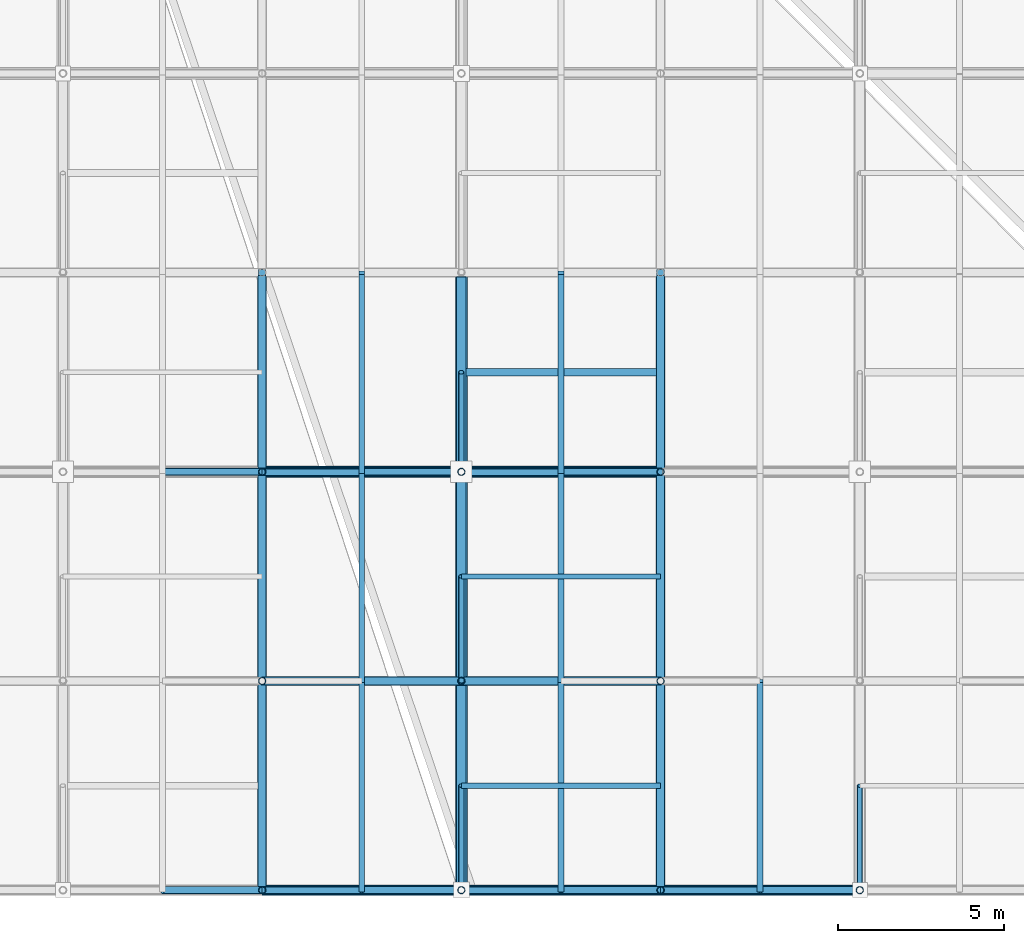
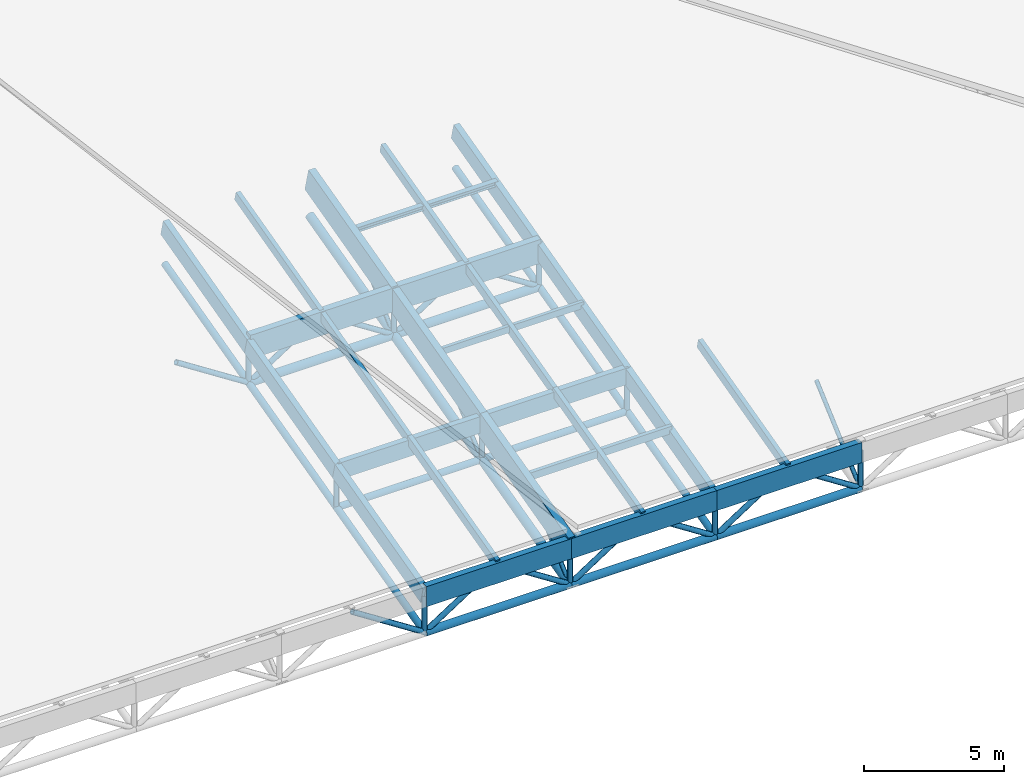
# One storey, part 24 of 80: 68 members.
"""IFC4 building model written with IfcOpenShell, lengths in metres."""

from ifc_helpers import new_model, si_unit, direction, frame, origin, origin_2d, place, context, subcontext, project, spatial, rectangle, hollow_circle, i_section, extrude, material, material_profile, profile_set, type_object, element, save


model = new_model("IFC4")

# Units and contexts
model_context = context("Model", 3, precision=1e-05, world=origin(), true_north=direction((0.0, 1.0)))
body_context = subcontext(model_context, "Body", "Model", "MODEL_VIEW")
ifc_project = project(units=[si_unit("LENGTHUNIT", "METRE"), si_unit("AREAUNIT", "SQUARE_METRE"), si_unit("VOLUMEUNIT", "CUBIC_METRE"), si_unit("PLANEANGLEUNIT", "RADIAN"), si_unit("MASSUNIT", "GRAM", prefix="KILO"), si_unit("THERMODYNAMICTEMPERATUREUNIT", "KELVIN"), si_unit("POWERUNIT", "WATT")], contexts=[model_context])

# Site, building, storey
site_placement = place(None, origin())
site = spatial("IfcSite", under=ifc_project, at=site_placement, CompositionType="ELEMENT")
building_placement = place(site_placement, origin())
building = spatial("IfcBuilding", under=site, at=building_placement, Name="Solmara Park Aquatics Centre", CompositionType="ELEMENT")
storey_placement = place(building_placement, frame((0.0, 0.0, 22.800048828125)))
storey = spatial("IfcBuildingStorey", under=building, at=storey_placement, Name="RF", CompositionType="ELEMENT", Elevation=22.800048828125)

# Members
ifc_material_1 = material(Name="Structural Steel S355", Category="steel")
ifc_material_profile_1 = material_profile(ifc_material_1, hollow_circle(Radius=0.084228515625, WallThickness=0.008056640625, at=origin_2d()), Name="CHS 168.3x8")
ifc_profile_set_1 = profile_set([ifc_material_profile_1], Name="Structural Steel S355")
member_type_1 = type_object("IfcMemberType", Name="STR-BRC-CHS168", PredefinedType="BRACE", material=ifc_profile_set_1)
for number, where, z_axis, x_axis, name in (
    (1, (72.60009765625, 0.0, -14.400146484375), (0.0, 0.748026356938, 0.663669020917), (-1.0, 0.0, 0.0), "Roof Truss Web Diagonal Y 1855"),
    (2, (84.60009765625, 0.0, -14.400146484375), (0.0, 0.748026356938, 0.663669020917), (-1.0, 0.0, 0.0), "Roof Truss Web Diagonal Y 1856"),
    (3, (72.60009765625, 6.300048828125, -12.770751953125), (0.0, 0.748026356938, 0.663669020917), (-1.0, 0.0, 0.0), "Roof Truss Web Diagonal Y 1876"),
):
    element("IfcMember", number, at=place(storey_placement, frame(where, z_axis=z_axis, x_axis=x_axis)), inside=storey, type_object=member_type_1, Name=name, PredefinedType="BRACE", context=body_context, shape_type="SweptSolid", body=[
        extrude(hollow_circle(Radius=0.084228515625, WallThickness=0.008056640625, at=origin_2d()), origin(), (0.0, 0.0, 1.0), 4.2109375),
    ])
member_1_placement = place(storey_placement, frame((72.60009765625, 12.60009765625, -11.141357421875), z_axis=(0.0, 0.736467121275, 0.676473339667), x_axis=(-1.0, 0.0, 0.0)))
element("IfcMember", 4, at=member_1_placement, inside=storey, type_object=member_type_1, Name="Roof Truss Web Diagonal Y 1898", PredefinedType="BRACE", context=body_context, shape_type="SweptSolid", body=[
    extrude(hollow_circle(Radius=0.084228515625, WallThickness=0.008056640625, at=origin_2d()), origin(), (0.0, 0.0, 1.0), 4.073486328125),
])
ifc_material_profile_2 = material_profile(ifc_material_1, hollow_circle(Radius=0.109619140625, WallThickness=0.010009765625, at=origin_2d()), Name="CHS 219.1x10")
ifc_profile_set_2 = profile_set([ifc_material_profile_2], Name="Structural Steel S355")
member_type_2 = type_object("IfcMemberType", Name="STR-BRC-CHS219", PredefinedType="BRACE", material=ifc_profile_set_2)
member_2_placement = place(storey_placement, frame((66.60009765625, 0.0, -14.400146484375), z_axis=(-0.839696636896, 0.0, 0.543055759555), x_axis=(0.0, -1.0, 0.0)))
element("IfcMember", 5, at=member_2_placement, inside=storey, type_object=member_type_2, Name="Roof Truss Web Diagonal X 1638", PredefinedType="BRACE", context=body_context, shape_type="SweptSolid", body=[
    extrude(hollow_circle(Radius=0.109619140625, WallThickness=0.010009765625, at=origin_2d()), origin(), (0.0, 0.0, 1.0), 3.57275390625),
])
member_3_placement = place(storey_placement, frame((66.60009765625, 12.60009765625, -11.141357421875), z_axis=(-0.83972779743, 0.0, 0.543007574738), x_axis=(0.0, -1.0, 0.0)))
element("IfcMember", 6, at=member_3_placement, inside=storey, type_object=member_type_2, Name="Roof Truss Web Diagonal X 1640", PredefinedType="BRACE", context=body_context, shape_type="SweptSolid", body=[
    extrude(hollow_circle(Radius=0.109619140625, WallThickness=0.010009765625, at=origin_2d()), origin(), (0.0, 0.0, 1.0), 3.572509765625),
])
for number, where, z_axis, x_axis, name in (
    (7, (66.60009765625, 0.0, -14.400146484375), (0.839696636896, 0.0, 0.543055759555), (0.0, 1.0, 0.0), "Roof Truss Web Diagonal X 1667"),
    (8, (72.60009765625, 0.0, -14.400146484375), (-0.839696636896, 0.0, 0.543055759555), (0.0, -1.0, 0.0), "Roof Truss Web Diagonal X 1668"),
):
    element("IfcMember", number, at=place(storey_placement, frame(where, z_axis=z_axis, x_axis=x_axis)), inside=storey, type_object=member_type_2, Name=name, PredefinedType="BRACE", context=body_context, shape_type="SweptSolid", body=[
        extrude(hollow_circle(Radius=0.109619140625, WallThickness=0.010009765625, at=origin_2d()), origin(), (0.0, 0.0, 1.0), 3.57275390625),
    ])
for number, where, z_axis, x_axis, name in (
    (9, (66.60009765625, 12.60009765625, -11.141357421875), (0.83972779743, 0.0, 0.543007574738), (0.0, 1.0, 0.0), "Roof Truss Web Diagonal X 1669"),
    (10, (72.60009765625, 12.60009765625, -11.141357421875), (-0.83972779743, 0.0, 0.543007574738), (0.0, -1.0, 0.0), "Roof Truss Web Diagonal X 1670"),
):
    element("IfcMember", number, at=place(storey_placement, frame(where, z_axis=z_axis, x_axis=x_axis)), inside=storey, type_object=member_type_2, Name=name, PredefinedType="BRACE", context=body_context, shape_type="SweptSolid", body=[
        extrude(hollow_circle(Radius=0.109619140625, WallThickness=0.010009765625, at=origin_2d()), origin(), (0.0, 0.0, 1.0), 3.572509765625),
    ])
for number, where, z_axis, x_axis, name in (
    (11, (72.60009765625, 0.0, -14.400146484375), (0.839696636896, 0.0, 0.543055759555), (0.0, 1.0, 0.0), "Roof Truss Web Diagonal X 1697"),
    (12, (78.60009765625, 0.0, -14.400146484375), (-0.839696636896, 0.0, 0.543055759555), (0.0, -1.0, 0.0), "Roof Truss Web Diagonal X 1698"),
):
    element("IfcMember", number, at=place(storey_placement, frame(where, z_axis=z_axis, x_axis=x_axis)), inside=storey, type_object=member_type_2, Name=name, PredefinedType="BRACE", context=body_context, shape_type="SweptSolid", body=[
        extrude(hollow_circle(Radius=0.109619140625, WallThickness=0.010009765625, at=origin_2d()), origin(), (0.0, 0.0, 1.0), 3.57275390625),
    ])
for number, where, z_axis, x_axis, name in (
    (13, (72.60009765625, 12.60009765625, -11.141357421875), (0.83972779743, 0.0, 0.543007574738), (0.0, 1.0, 0.0), "Roof Truss Web Diagonal X 1699"),
    (14, (78.60009765625, 12.60009765625, -11.141357421875), (-0.83972779743, 0.0, 0.543007574738), (0.0, -1.0, 0.0), "Roof Truss Web Diagonal X 1700"),
):
    element("IfcMember", number, at=place(storey_placement, frame(where, z_axis=z_axis, x_axis=x_axis)), inside=storey, type_object=member_type_2, Name=name, PredefinedType="BRACE", context=body_context, shape_type="SweptSolid", body=[
        extrude(hollow_circle(Radius=0.109619140625, WallThickness=0.010009765625, at=origin_2d()), origin(), (0.0, 0.0, 1.0), 3.572509765625),
    ])
for number, where, z_axis, x_axis, name in (
    (15, (78.60009765625, 0.0, -14.400146484375), (0.839696636896, 0.0, 0.543055759555), (0.0, 1.0, 0.0), "Roof Truss Web Diagonal X 1725"),
    (16, (84.60009765625, 0.0, -14.400146484375), (-0.839696636896, 0.0, 0.543055759555), (0.0, -1.0, 0.0), "Roof Truss Web Diagonal X 1726"),
):
    element("IfcMember", number, at=place(storey_placement, frame(where, z_axis=z_axis, x_axis=x_axis)), inside=storey, type_object=member_type_2, Name=name, PredefinedType="BRACE", context=body_context, shape_type="SweptSolid", body=[
        extrude(hollow_circle(Radius=0.109619140625, WallThickness=0.010009765625, at=origin_2d()), origin(), (0.0, 0.0, 1.0), 3.57275390625),
    ])
ifc_material_profile_3 = material_profile(ifc_material_1, hollow_circle(Radius=0.136474609375, WallThickness=0.012451171875, at=origin_2d()), Name="CHS 273x12.5")
ifc_profile_set_3 = profile_set([ifc_material_profile_3], Name="Structural Steel S355")
member_type_3 = type_object("IfcMemberType", Name="STR-CHD-CHS273", PredefinedType="CHORD", material=ifc_profile_set_3)
for number, where, z_axis, x_axis, name in (
    (17, (66.60009765625, 6.300048828125, -12.770751953125), (1.0, 0.0, 0.0), (0.0, 1.0, 0.0), "Steel Roof Truss Bottom Chord X 0060"),
    (18, (72.60009765625, 6.300048828125, -12.770751953125), (1.0, 0.0, 0.0), (0.0, 1.0, 0.0), "Steel Roof Truss Bottom Chord X 0062"),
):
    element("IfcMember", number, at=place(storey_placement, frame(where, z_axis=z_axis, x_axis=x_axis)), inside=storey, type_object=member_type_3, Name=name, PredefinedType="CHORD", context=body_context, shape_type="SweptSolid", body=[
        extrude(hollow_circle(Radius=0.136474609375, WallThickness=0.012451171875, at=origin_2d()), origin(), (0.0, 0.0, 1.0), 6.0),
    ])
for number, where, z_axis, x_axis, name in (
    (19, (66.60009765625, 0.0, -14.400146484375), (0.0, 0.968144245908, 0.25039312913), (-1.0, 0.0, 0.0), "Steel Roof Truss Bottom Chord Y 0850"),
    (20, (66.60009765625, 6.300048828125, -12.770751953125), (0.0, 0.968144245908, 0.25039312913), (-1.0, 0.0, 0.0), "Steel Roof Truss Bottom Chord Y 0852"),
):
    element("IfcMember", number, at=place(storey_placement, frame(where, z_axis=z_axis, x_axis=x_axis)), inside=storey, type_object=member_type_3, Name=name, PredefinedType="CHORD", context=body_context, shape_type="SweptSolid", body=[
        extrude(hollow_circle(Radius=0.136474609375, WallThickness=0.012451171875, at=origin_2d()), origin(), (0.0, 0.0, 1.0), 6.50732421875),
    ])
member_4_placement = place(storey_placement, frame((66.60009765625, 12.60009765625, -11.141357421875), z_axis=(0.0, 0.968155143395, 0.250350990246), x_axis=(-1.0, 0.0, 0.0)))
element("IfcMember", 21, at=member_4_placement, inside=storey, type_object=member_type_3, Name="Steel Roof Truss Bottom Chord Y 0854", PredefinedType="CHORD", context=body_context, shape_type="SweptSolid", body=[
    extrude(hollow_circle(Radius=0.136474609375, WallThickness=0.012451171875, at=origin_2d()), origin(), (0.0, 0.0, 1.0), 6.197265625),
])
for number, where, z_axis, x_axis, name in (
    (22, (78.60009765625, 0.0, -14.400146484375), (0.0, 0.968144245908, 0.25039312913), (-1.0, 0.0, 0.0), "Steel Roof Truss Bottom Chord Y 0906"),
    (23, (78.60009765625, 6.300048828125, -12.770751953125), (0.0, 0.968144245908, 0.25039312913), (-1.0, 0.0, 0.0), "Steel Roof Truss Bottom Chord Y 0908"),
):
    element("IfcMember", number, at=place(storey_placement, frame(where, z_axis=z_axis, x_axis=x_axis)), inside=storey, type_object=member_type_3, Name=name, PredefinedType="CHORD", context=body_context, shape_type="SweptSolid", body=[
        extrude(hollow_circle(Radius=0.136474609375, WallThickness=0.012451171875, at=origin_2d()), origin(), (0.0, 0.0, 1.0), 6.50732421875),
    ])
member_5_placement = place(storey_placement, frame((78.60009765625, 12.60009765625, -11.141357421875), z_axis=(0.0, 0.968155143395, 0.250350990246), x_axis=(-1.0, 0.0, 0.0)))
element("IfcMember", 24, at=member_5_placement, inside=storey, type_object=member_type_3, Name="Steel Roof Truss Bottom Chord Y 0910", PredefinedType="CHORD", context=body_context, shape_type="SweptSolid", body=[
    extrude(hollow_circle(Radius=0.136474609375, WallThickness=0.012451171875, at=origin_2d()), origin(), (0.0, 0.0, 1.0), 6.197265625),
])
ifc_material_profile_4 = material_profile(ifc_material_1, hollow_circle(Radius=0.161865234375, WallThickness=0.01611328125, at=origin_2d()), Name="CHS 323.9x16")
ifc_profile_set_4 = profile_set([ifc_material_profile_4], Name="Structural Steel S355")
member_type_4 = type_object("IfcMemberType", Name="STR-CHD-CHS323", PredefinedType="CHORD", material=ifc_profile_set_4)
for number, where, z_axis, x_axis, name in (
    (25, (66.60009765625, 0.0, -14.400146484375), (1.0, 0.0, 0.0), (0.0, 1.0, 0.0), "Steel Roof Truss Bottom Chord X 0024"),
    (26, (72.60009765625, 0.0, -14.400146484375), (1.0, 0.0, 0.0), (0.0, 1.0, 0.0), "Steel Roof Truss Bottom Chord X 0026"),
    (27, (78.60009765625, 0.0, -14.400146484375), (1.0, 0.0, 0.0), (0.0, 1.0, 0.0), "Steel Roof Truss Bottom Chord X 0028"),
):
    element("IfcMember", number, at=place(storey_placement, frame(where, z_axis=z_axis, x_axis=x_axis)), inside=storey, type_object=member_type_4, Name=name, PredefinedType="CHORD", context=body_context, shape_type="SweptSolid", body=[
        extrude(hollow_circle(Radius=0.161865234375, WallThickness=0.01611328125, at=origin_2d()), origin(), (0.0, 0.0, 1.0), 6.0),
    ])
ifc_material_profile_5 = material_profile(ifc_material_1, hollow_circle(Radius=0.177734375, WallThickness=0.01611328125, at=origin_2d()), Name="CHS 355.6x16")
ifc_profile_set_5 = profile_set([ifc_material_profile_5], Name="Structural Steel S355")
member_type_5 = type_object("IfcMemberType", Name="STR-CHD-CHS355", PredefinedType="CHORD", material=ifc_profile_set_5)
for number, where, z_axis, x_axis, name in (
    (28, (66.60009765625, 12.60009765625, -11.141357421875), (1.0, 0.0, 0.0), (0.0, 1.0, 0.0), "Steel Roof Truss Bottom Chord X 0096"),
    (29, (72.60009765625, 12.60009765625, -11.141357421875), (1.0, 0.0, 0.0), (0.0, 1.0, 0.0), "Steel Roof Truss Bottom Chord X 0098"),
):
    element("IfcMember", number, at=place(storey_placement, frame(where, z_axis=z_axis, x_axis=x_axis)), inside=storey, type_object=member_type_5, Name=name, PredefinedType="CHORD", context=body_context, shape_type="SweptSolid", body=[
        extrude(hollow_circle(Radius=0.177734375, WallThickness=0.01611328125, at=origin_2d()), origin(), (0.0, 0.0, 1.0), 6.0),
    ])
for number, where, z_axis, x_axis, name in (
    (30, (72.60009765625, 0.0, -14.400146484375), (0.0, 0.968144245908, 0.25039312913), (-1.0, 0.0, 0.0), "Steel Roof Truss Bottom Chord Y 0878"),
    (31, (72.60009765625, 6.300048828125, -12.770751953125), (0.0, 0.968144245908, 0.25039312913), (-1.0, 0.0, 0.0), "Steel Roof Truss Bottom Chord Y 0880"),
):
    element("IfcMember", number, at=place(storey_placement, frame(where, z_axis=z_axis, x_axis=x_axis)), inside=storey, type_object=member_type_5, Name=name, PredefinedType="CHORD", context=body_context, shape_type="SweptSolid", body=[
        extrude(hollow_circle(Radius=0.177734375, WallThickness=0.01611328125, at=origin_2d()), origin(), (0.0, 0.0, 1.0), 6.50732421875),
    ])
member_6_placement = place(storey_placement, frame((72.60009765625, 12.60009765625, -11.141357421875), z_axis=(0.0, 0.968155143395, 0.250350990246), x_axis=(-1.0, 0.0, 0.0)))
element("IfcMember", 32, at=member_6_placement, inside=storey, type_object=member_type_5, Name="Steel Roof Truss Bottom Chord Y 0882", PredefinedType="CHORD", context=body_context, shape_type="SweptSolid", body=[
    extrude(hollow_circle(Radius=0.177734375, WallThickness=0.01611328125, at=origin_2d()), origin(), (0.0, 0.0, 1.0), 6.197265625),
])
ifc_material_2 = material(Name="Glulam Timber GL28h", Category="wood")
ifc_material_profile_6 = material_profile(ifc_material_2, rectangle(XDim=0.239990234375, YDim=0.719970703125, at=origin_2d()), Name="GL28h 240x720")
ifc_profile_set_6 = profile_set([ifc_material_profile_6], Name="Glulam Timber GL28h")
member_type_6 = type_object("IfcMemberType", Name="STR-CHD-GL240x720", PredefinedType="CHORD", material=ifc_profile_set_6)
for number, where, z_axis, x_axis, name in (
    (33, (66.60009765625, 6.300048828125, -11.150634765625), (1.0, 0.0, 0.0), (0.0, 1.0, 0.0), "Glulam Roof Truss Top Chord X 0059"),
    (34, (72.60009765625, 6.300048828125, -11.150634765625), (1.0, 0.0, 0.0), (0.0, 1.0, 0.0), "Glulam Roof Truss Top Chord X 0061"),
):
    element("IfcMember", number, at=place(storey_placement, frame(where, z_axis=z_axis, x_axis=x_axis)), inside=storey, type_object=member_type_6, Name=name, PredefinedType="CHORD", context=body_context, shape_type="SweptSolid", body=[
        extrude(rectangle(XDim=0.239990234375, YDim=0.719970703125, at=origin_2d()), origin(), (0.0, 0.0, 1.0), 6.0),
    ])
for number, where, z_axis, x_axis, name in (
    (35, (66.60009765625, 0.0, -12.780029296875), (0.0, 0.968144245908, 0.25039312913), (-1.0, 0.0, 0.0), "Glulam Roof Truss Top Chord Y 0849"),
    (36, (66.60009765625, 6.300048828125, -11.150634765625), (0.0, 0.96815334027, 0.250357963171), (-1.0, 0.0, 0.0), "Glulam Roof Truss Top Chord Y 0851"),
):
    element("IfcMember", number, at=place(storey_placement, frame(where, z_axis=z_axis, x_axis=x_axis)), inside=storey, type_object=member_type_6, Name=name, PredefinedType="CHORD", context=body_context, shape_type="SweptSolid", body=[
        extrude(rectangle(XDim=0.239990234375, YDim=0.719970703125, at=origin_2d()), origin(), (0.0, 0.0, 1.0), 6.50732421875),
    ])
member_7_placement = place(storey_placement, frame((66.60009765625, 12.60009765625, -9.521484375), z_axis=(0.0, 0.968145594442, 0.250387914969), x_axis=(-1.0, 0.0, 0.0)))
element("IfcMember", 37, at=member_7_placement, inside=storey, type_object=member_type_6, Name="Glulam Roof Truss Top Chord Y 0853", PredefinedType="CHORD", context=body_context, shape_type="SweptSolid", body=[
    extrude(rectangle(XDim=0.239990234375, YDim=0.719970703125, at=origin_2d()), origin(), (0.0, 0.0, 1.0), 6.197509765625),
])
for number, where, z_axis, x_axis, name in (
    (38, (78.60009765625, 0.0, -12.780029296875), (0.0, 0.968144245908, 0.25039312913), (-1.0, 0.0, 0.0), "Glulam Roof Truss Top Chord Y 0905"),
    (39, (78.60009765625, 6.300048828125, -11.150634765625), (0.0, 0.96815334027, 0.250357963171), (-1.0, 0.0, 0.0), "Glulam Roof Truss Top Chord Y 0907"),
):
    element("IfcMember", number, at=place(storey_placement, frame(where, z_axis=z_axis, x_axis=x_axis)), inside=storey, type_object=member_type_6, Name=name, PredefinedType="CHORD", context=body_context, shape_type="SweptSolid", body=[
        extrude(rectangle(XDim=0.239990234375, YDim=0.719970703125, at=origin_2d()), origin(), (0.0, 0.0, 1.0), 6.50732421875),
    ])
member_8_placement = place(storey_placement, frame((78.60009765625, 12.60009765625, -9.521484375), z_axis=(0.0, 0.968145594442, 0.250387914969), x_axis=(-1.0, 0.0, 0.0)))
element("IfcMember", 40, at=member_8_placement, inside=storey, type_object=member_type_6, Name="Glulam Roof Truss Top Chord Y 0909", PredefinedType="CHORD", context=body_context, shape_type="SweptSolid", body=[
    extrude(rectangle(XDim=0.239990234375, YDim=0.719970703125, at=origin_2d()), origin(), (0.0, 0.0, 1.0), 6.197509765625),
])
ifc_material_profile_7 = material_profile(ifc_material_2, rectangle(XDim=0.260009765625, YDim=0.8798828125, at=origin_2d()), Name="GL28h 260x880")
ifc_profile_set_7 = profile_set([ifc_material_profile_7], Name="Glulam Timber GL28h")
member_type_7 = type_object("IfcMemberType", Name="STR-CHD-GL260x880", PredefinedType="CHORD", material=ifc_profile_set_7)
for number, where, z_axis, x_axis, name in (
    (41, (66.60009765625, 0.0, -12.780029296875), (1.0, 0.0, 0.0), (0.0, 1.0, 0.0), "Glulam Roof Truss Top Chord X 0023"),
    (42, (72.60009765625, 0.0, -12.780029296875), (1.0, 0.0, 0.0), (0.0, 1.0, 0.0), "Glulam Roof Truss Top Chord X 0025"),
    (43, (78.60009765625, 0.0, -12.780029296875), (1.0, 0.0, 0.0), (0.0, 1.0, 0.0), "Glulam Roof Truss Top Chord X 0027"),
):
    element("IfcMember", number, at=place(storey_placement, frame(where, z_axis=z_axis, x_axis=x_axis)), inside=storey, type_object=member_type_7, Name=name, PredefinedType="CHORD", context=body_context, shape_type="SweptSolid", body=[
        extrude(rectangle(XDim=0.260009765625, YDim=0.8798828125, at=origin_2d()), origin(), (0.0, 0.0, 1.0), 6.0),
    ])
ifc_material_profile_8 = material_profile(ifc_material_2, rectangle(XDim=0.280029296875, YDim=1.0400390625, at=origin_2d()), Name="GL28h 280x1040")
ifc_profile_set_8 = profile_set([ifc_material_profile_8], Name="Glulam Timber GL28h")
member_type_8 = type_object("IfcMemberType", Name="STR-CHD-GL280x1040", PredefinedType="CHORD", material=ifc_profile_set_8)
for number, where, z_axis, x_axis, name in (
    (44, (66.60009765625, 12.60009765625, -9.521484375), (1.0, 0.0, 0.0), (0.0, 1.0, 0.0), "Glulam Roof Truss Top Chord X 0095"),
    (45, (72.60009765625, 12.60009765625, -9.521484375), (1.0, 0.0, 0.0), (0.0, 1.0, 0.0), "Glulam Roof Truss Top Chord X 0097"),
):
    element("IfcMember", number, at=place(storey_placement, frame(where, z_axis=z_axis, x_axis=x_axis)), inside=storey, type_object=member_type_8, Name=name, PredefinedType="CHORD", context=body_context, shape_type="SweptSolid", body=[
        extrude(rectangle(XDim=0.280029296875, YDim=1.0400390625, at=origin_2d()), origin(), (0.0, 0.0, 1.0), 6.0),
    ])
for number, where, z_axis, x_axis, name in (
    (46, (72.60009765625, 0.0, -12.780029296875), (0.0, 0.968144245908, 0.25039312913), (-1.0, 0.0, 0.0), "Glulam Roof Truss Top Chord Y 0877"),
    (47, (72.60009765625, 6.300048828125, -11.150634765625), (0.0, 0.96815334027, 0.250357963171), (-1.0, 0.0, 0.0), "Glulam Roof Truss Top Chord Y 0879"),
):
    element("IfcMember", number, at=place(storey_placement, frame(where, z_axis=z_axis, x_axis=x_axis)), inside=storey, type_object=member_type_8, Name=name, PredefinedType="CHORD", context=body_context, shape_type="SweptSolid", body=[
        extrude(rectangle(XDim=0.280029296875, YDim=1.0400390625, at=origin_2d()), origin(), (0.0, 0.0, 1.0), 6.50732421875),
    ])
member_9_placement = place(storey_placement, frame((72.60009765625, 12.60009765625, -9.521484375), z_axis=(0.0, 0.968145594442, 0.250387914969), x_axis=(-1.0, 0.0, 0.0)))
element("IfcMember", 48, at=member_9_placement, inside=storey, type_object=member_type_8, Name="Glulam Roof Truss Top Chord Y 0881", PredefinedType="CHORD", context=body_context, shape_type="SweptSolid", body=[
    extrude(rectangle(XDim=0.280029296875, YDim=1.0400390625, at=origin_2d()), origin(), (0.0, 0.0, 1.0), 6.197509765625),
])
ifc_material_profile_9 = material_profile(ifc_material_2, rectangle(XDim=0.139892578125, YDim=0.280029296875, at=origin_2d()), Name="GL28h 140x280")
ifc_profile_set_9 = profile_set([ifc_material_profile_9], Name="Glulam Timber GL28h")
member_type_9 = type_object("IfcMemberType", Name="STR-PRL-GL140x280", PredefinedType="PURLIN", material=ifc_profile_set_9)
member_10_placement = place(storey_placement, frame((72.60009765625, 9.449951171875, -9.99609375), z_axis=(1.0, 0.0, 0.0), x_axis=(0.0, 1.0, 0.0)))
element("IfcMember", 49, at=member_10_placement, inside=storey, type_object=member_type_9, Name="Glulam Secondary Roof Purlin 1866", PredefinedType="PURLIN", context=body_context, shape_type="SweptSolid", body=[
    extrude(rectangle(XDim=0.139892578125, YDim=0.280029296875, at=origin_2d()), origin(), (0.0, 0.0, 1.0), 6.0),
])
ifc_material_profile_10 = material_profile(ifc_material_2, rectangle(XDim=0.159912109375, YDim=0.320068359375, at=origin_2d()), Name="GL28h 160x320")
ifc_profile_set_10 = profile_set([ifc_material_profile_10], Name="Glulam Timber GL28h")
member_type_10 = type_object("IfcMemberType", Name="STR-PRL-GL160x320", PredefinedType="PURLIN", material=ifc_profile_set_10)
member_11_placement = place(storey_placement, frame((72.60009765625, 3.14990234375, -11.62548828125), z_axis=(1.0, 0.0, 0.0), x_axis=(0.0, 1.0, 0.0)))
element("IfcMember", 50, at=member_11_placement, inside=storey, type_object=member_type_10, Name="Glulam Secondary Roof Purlin 1845", PredefinedType="PURLIN", context=body_context, shape_type="SweptSolid", body=[
    extrude(rectangle(XDim=0.159912109375, YDim=0.320068359375, at=origin_2d()), origin(), (0.0, 0.0, 1.0), 6.0),
])
ifc_material_profile_11 = material_profile(ifc_material_2, rectangle(XDim=0.179931640625, YDim=0.39990234375, at=origin_2d()), Name="GL28h 180x400")
ifc_profile_set_11 = profile_set([ifc_material_profile_11], Name="Glulam Timber GL28h")
member_type_11 = type_object("IfcMemberType", Name="STR-PRL-GL180x400", PredefinedType="PURLIN", material=ifc_profile_set_11)
for number, where, z_axis, x_axis, name in (
    (51, (69.60009765625, 0.0, -12.4599609375), (0.0, 0.96815334027, 0.250357963171), (-1.0, 0.0, 0.0), "Glulam Roof Purlin 1653"),
    (52, (69.60009765625, 6.300048828125, -10.830810546875), (0.0, 0.968144245908, 0.25039312913), (-1.0, 0.0, 0.0), "Glulam Roof Purlin 1654"),
):
    element("IfcMember", number, at=place(storey_placement, frame(where, z_axis=z_axis, x_axis=x_axis)), inside=storey, type_object=member_type_11, Name=name, PredefinedType="PURLIN", context=body_context, shape_type="SweptSolid", body=[
        extrude(rectangle(XDim=0.179931640625, YDim=0.39990234375, at=origin_2d()), origin(), (0.0, 0.0, 1.0), 6.50732421875),
    ])
member_12_placement = place(storey_placement, frame((69.60009765625, 12.60009765625, -9.201416015625), z_axis=(0.0, 0.968145594442, 0.250387914969), x_axis=(-1.0, 0.0, 0.0)))
element("IfcMember", 53, at=member_12_placement, inside=storey, type_object=member_type_11, Name="Glulam Roof Purlin 1655", PredefinedType="PURLIN", context=body_context, shape_type="SweptSolid", body=[
    extrude(rectangle(XDim=0.179931640625, YDim=0.39990234375, at=origin_2d()), origin(), (0.0, 0.0, 1.0), 6.197509765625),
])
for number, where, z_axis, x_axis, name in (
    (54, (75.60009765625, 0.0, -12.4599609375), (0.0, 0.96815334027, 0.250357963171), (-1.0, 0.0, 0.0), "Glulam Roof Purlin 1683"),
    (55, (75.60009765625, 6.300048828125, -10.830810546875), (0.0, 0.968144245908, 0.25039312913), (-1.0, 0.0, 0.0), "Glulam Roof Purlin 1684"),
):
    element("IfcMember", number, at=place(storey_placement, frame(where, z_axis=z_axis, x_axis=x_axis)), inside=storey, type_object=member_type_11, Name=name, PredefinedType="PURLIN", context=body_context, shape_type="SweptSolid", body=[
        extrude(rectangle(XDim=0.179931640625, YDim=0.39990234375, at=origin_2d()), origin(), (0.0, 0.0, 1.0), 6.50732421875),
    ])
member_13_placement = place(storey_placement, frame((75.60009765625, 12.60009765625, -9.201416015625), z_axis=(0.0, 0.968145594442, 0.250387914969), x_axis=(-1.0, 0.0, 0.0)))
element("IfcMember", 56, at=member_13_placement, inside=storey, type_object=member_type_11, Name="Glulam Roof Purlin 1685", PredefinedType="PURLIN", context=body_context, shape_type="SweptSolid", body=[
    extrude(rectangle(XDim=0.179931640625, YDim=0.39990234375, at=origin_2d()), origin(), (0.0, 0.0, 1.0), 6.197509765625),
])
member_14_placement = place(storey_placement, frame((81.60009765625, 0.0, -12.4599609375), z_axis=(0.0, 0.96815334027, 0.250357963171), x_axis=(-1.0, 0.0, 0.0)))
element("IfcMember", 57, at=member_14_placement, inside=storey, type_object=member_type_11, Name="Glulam Roof Purlin 1711", PredefinedType="PURLIN", context=body_context, shape_type="SweptSolid", body=[
    extrude(rectangle(XDim=0.179931640625, YDim=0.39990234375, at=origin_2d()), origin(), (0.0, 0.0, 1.0), 6.50732421875),
])
ifc_material_profile_12 = material_profile(ifc_material_1, i_section(OverallWidth=0.219970703125, OverallDepth=0.2099609375, WebThickness=0.007080078125, FlangeThickness=0.010986328125, FilletRadius=0.01806640625, at=origin_2d()), Name="HEA 220")
ifc_profile_set_12 = profile_set([ifc_material_profile_12], Name="Structural Steel S355")
member_type_12 = type_object("IfcMemberType", Name="STR-PRL-HEA220", PredefinedType="PURLIN", material=ifc_profile_set_12)
member_15_placement = place(storey_placement, frame((72.60009765625, 15.60009765625, -8.40576171875), z_axis=(1.0, 0.0, 0.0), x_axis=(0.0, 1.0, 0.0)))
element("IfcMember", 58, at=member_15_placement, inside=storey, type_object=member_type_12, Name="Glulam Secondary Roof Purlin 1887", PredefinedType="PURLIN", context=body_context, shape_type="SweptSolid", body=[
    extrude(i_section(OverallWidth=0.219970703125, OverallDepth=0.2099609375, WebThickness=0.007080078125, FlangeThickness=0.010986328125, FilletRadius=0.01806640625, at=origin_2d()), origin(), (0.0, 0.0, 1.0), 6.0),
])
ifc_material_profile_13 = material_profile(ifc_material_1, hollow_circle(Radius=0.109619140625, WallThickness=0.010009765625, at=origin_2d()), Name="CHS 219.1x10")
ifc_profile_set_13 = profile_set([ifc_material_profile_13], Name="Structural Steel S355")
member_type_13 = type_object("IfcMemberType", Name="STR-PST-CHS219", PredefinedType="POST", material=ifc_profile_set_13)
for number, where, z_axis, x_axis, name in (
    (59, (66.60009765625, 0.0, -14.400146484375), (0.0, 0.0, 1.0), (1.0, 0.0, 0.0), "Roof Truss Web Post 1231"),
    (60, (66.60009765625, 6.300048828125, -12.770751953125), (0.0, 0.0, 1.0), (1.0, 0.0, 0.0), "Roof Truss Web Post 1232"),
):
    element("IfcMember", number, at=place(storey_placement, frame(where, z_axis=z_axis, x_axis=x_axis)), inside=storey, type_object=member_type_13, Name=name, PredefinedType="POST", context=body_context, shape_type="SweptSolid", body=[
        extrude(hollow_circle(Radius=0.109619140625, WallThickness=0.010009765625, at=origin_2d()), origin(), (0.0, 0.0, 1.0), 1.6201171875),
    ])
member_16_placement = place(storey_placement, frame((66.60009765625, 12.60009765625, -11.141357421875), z_axis=(0.0, 0.0, 1.0), x_axis=(1.0, 0.0, 0.0)))
element("IfcMember", 61, at=member_16_placement, inside=storey, type_object=member_type_13, Name="Roof Truss Web Post 1233", PredefinedType="POST", context=body_context, shape_type="SweptSolid", body=[
    extrude(hollow_circle(Radius=0.109619140625, WallThickness=0.010009765625, at=origin_2d()), origin(), (0.0, 0.0, 1.0), 1.619873046875),
])
for number, where, z_axis, x_axis, name in (
    (62, (72.60009765625, 0.0, -14.400146484375), (0.0, 0.0, 1.0), (1.0, 0.0, 0.0), "Roof Truss Web Post 1246"),
    (63, (72.60009765625, 6.300048828125, -12.770751953125), (0.0, 0.0, 1.0), (1.0, 0.0, 0.0), "Roof Truss Web Post 1247"),
):
    element("IfcMember", number, at=place(storey_placement, frame(where, z_axis=z_axis, x_axis=x_axis)), inside=storey, type_object=member_type_13, Name=name, PredefinedType="POST", context=body_context, shape_type="SweptSolid", body=[
        extrude(hollow_circle(Radius=0.109619140625, WallThickness=0.010009765625, at=origin_2d()), origin(), (0.0, 0.0, 1.0), 1.6201171875),
    ])
member_17_placement = place(storey_placement, frame((72.60009765625, 12.60009765625, -11.141357421875), z_axis=(0.0, 0.0, 1.0), x_axis=(1.0, 0.0, 0.0)))
element("IfcMember", 64, at=member_17_placement, inside=storey, type_object=member_type_13, Name="Roof Truss Web Post 1248", PredefinedType="POST", context=body_context, shape_type="SweptSolid", body=[
    extrude(hollow_circle(Radius=0.109619140625, WallThickness=0.010009765625, at=origin_2d()), origin(), (0.0, 0.0, 1.0), 1.619873046875),
])
for number, where, z_axis, x_axis, name in (
    (65, (78.60009765625, 0.0, -14.400146484375), (0.0, 0.0, 1.0), (1.0, 0.0, 0.0), "Roof Truss Web Post 1261"),
    (66, (78.60009765625, 6.300048828125, -12.770751953125), (0.0, 0.0, 1.0), (1.0, 0.0, 0.0), "Roof Truss Web Post 1262"),
):
    element("IfcMember", number, at=place(storey_placement, frame(where, z_axis=z_axis, x_axis=x_axis)), inside=storey, type_object=member_type_13, Name=name, PredefinedType="POST", context=body_context, shape_type="SweptSolid", body=[
        extrude(hollow_circle(Radius=0.109619140625, WallThickness=0.010009765625, at=origin_2d()), origin(), (0.0, 0.0, 1.0), 1.6201171875),
    ])
member_18_placement = place(storey_placement, frame((78.60009765625, 12.60009765625, -11.141357421875), z_axis=(0.0, 0.0, 1.0), x_axis=(1.0, 0.0, 0.0)))
element("IfcMember", 67, at=member_18_placement, inside=storey, type_object=member_type_13, Name="Roof Truss Web Post 1263", PredefinedType="POST", context=body_context, shape_type="SweptSolid", body=[
    extrude(hollow_circle(Radius=0.109619140625, WallThickness=0.010009765625, at=origin_2d()), origin(), (0.0, 0.0, 1.0), 1.619873046875),
])
member_19_placement = place(storey_placement, frame((84.60009765625, 0.0, -14.400146484375), z_axis=(0.0, 0.0, 1.0), x_axis=(1.0, 0.0, 0.0)))
element("IfcMember", 68, at=member_19_placement, inside=storey, type_object=member_type_13, Name="Roof Truss Web Post 1276", PredefinedType="POST", context=body_context, shape_type="SweptSolid", body=[
    extrude(hollow_circle(Radius=0.109619140625, WallThickness=0.010009765625, at=origin_2d()), origin(), (0.0, 0.0, 1.0), 1.6201171875),
])

save(model, "model.ifc")
